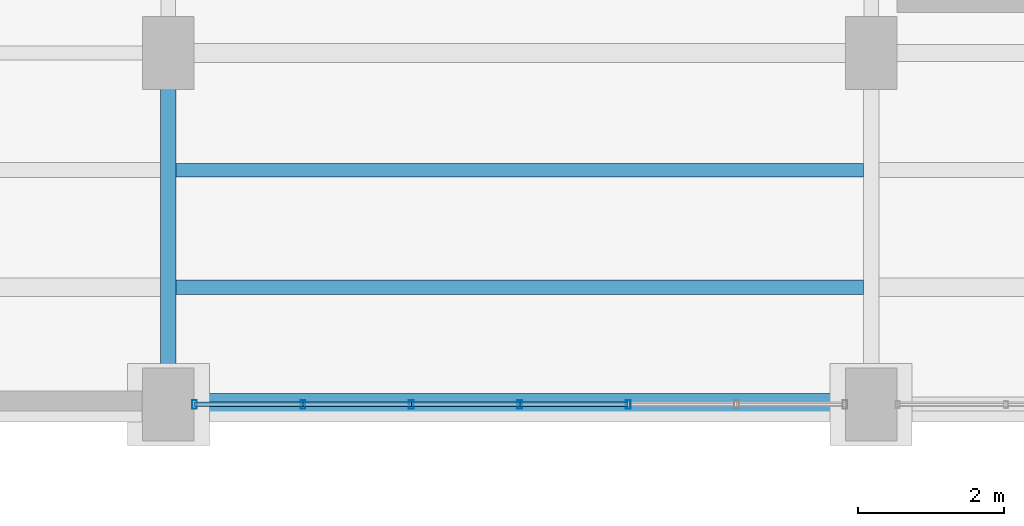
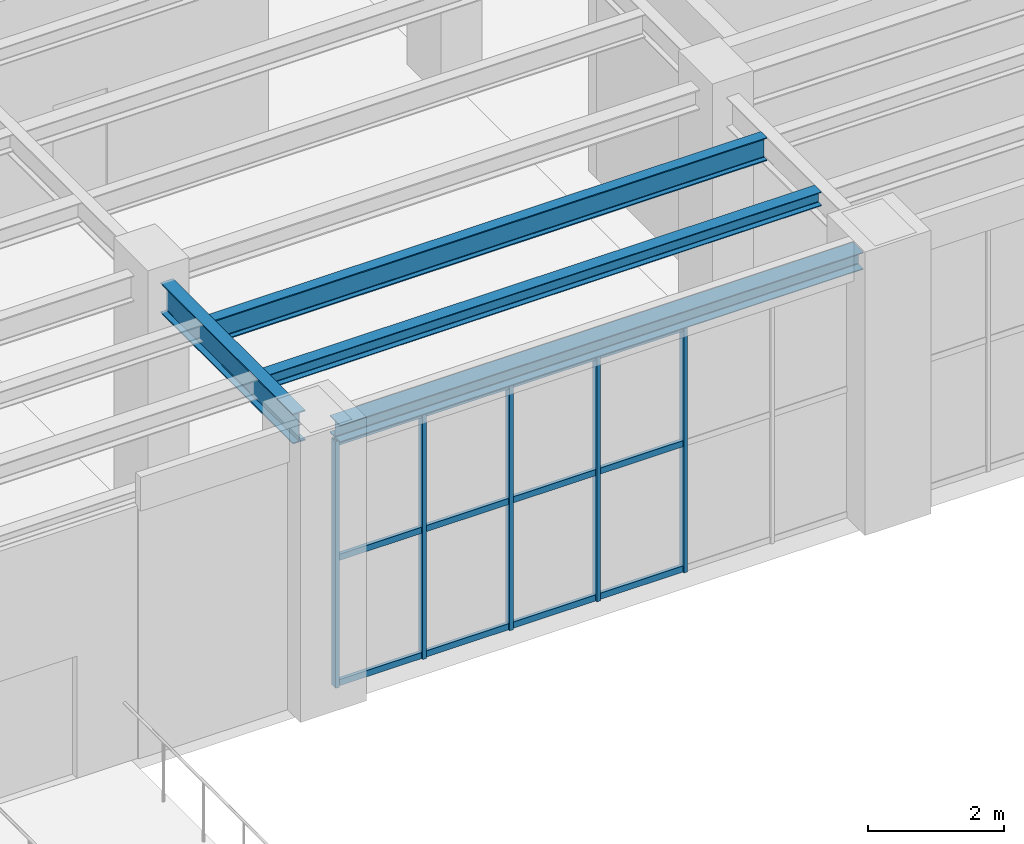
# One storey, part 96 of 174: 17 members, 4 beams, 1 element without a shape of its own.
"""IFC4 building model written with IfcOpenShell, lengths in metres."""

from ifc_helpers import new_model, si_unit, direction, frame, origin, origin_2d, place, context, subcontext, project, spatial, hollow_rectangle, i_section, extrude, material, material_profile, profile_set, type_object, element, aggregate, save


model = new_model("IFC4")

# Units and contexts
model_context = context("Model", 3, precision=1e-05, world=origin(), true_north=direction((0.0, 1.0)))
body_context = subcontext(model_context, "Body", "Model", "MODEL_VIEW")
ifc_project = project(units=[si_unit("LENGTHUNIT", "METRE"), si_unit("AREAUNIT", "SQUARE_METRE"), si_unit("VOLUMEUNIT", "CUBIC_METRE"), si_unit("PLANEANGLEUNIT", "RADIAN"), si_unit("MASSUNIT", "GRAM", prefix="KILO")], contexts=[model_context])

# Site, building, storey
site_placement = place(None, origin())
site = spatial("IfcSite", under=ifc_project, at=site_placement, CompositionType="ELEMENT")
building_placement = place(site_placement, origin())
building = spatial("IfcBuilding", under=site, at=building_placement, Name="Mavantir Sound Aquarium", CompositionType="ELEMENT")
storey_placement = place(building_placement, frame((0.0, 0.0, 5.39990234375)))
storey = spatial("IfcBuildingStorey", under=building, at=storey_placement, Name="L01", CompositionType="ELEMENT", Elevation=5.39990234375)

# Beams
ifc_material_1 = material(Name="Structural Steel ASTM A992 Gr50", Category="steel")
ifc_material_profile_1 = material_profile(ifc_material_1, i_section(OverallWidth=0.202880859375, OverallDepth=0.251953125, WebThickness=0.008056640625, FlangeThickness=0.013427734375, FilletRadius=0.011962890625, at=origin_2d()), Name="W250X58")
ifc_profile_set_1 = profile_set([ifc_material_profile_1], Name="Structural Steel ASTM A992 Gr50")
beam_type_1 = type_object("IfcBeamType", Name="BM-W250X58-I", PredefinedType="JOIST", material=ifc_profile_set_1)
beam_1_placement = place(storey_placement, frame((136.906005859375, 37.60009765625, 4.650146484375), z_axis=(1.0, 0.0, 0.0), x_axis=(0.0, 1.0, 0.0)))
element("IfcBeam", 1, at=beam_1_placement, inside=storey, type_object=beam_type_1, Name="L01 secondary floor joist SJ-25 728", PredefinedType="JOIST", context=body_context, shape_type="SweptSolid", body=[
    extrude(i_section(OverallWidth=0.202880859375, OverallDepth=0.251953125, WebThickness=0.008056640625, FlangeThickness=0.013427734375, FilletRadius=0.011962890625, at=origin_2d()), origin(), (0.0, 0.0, 1.0), 9.387939453125),
])
ifc_material_profile_2 = material_profile(ifc_material_1, i_section(OverallWidth=0.304931640625, OverallDepth=0.30810546875, WebThickness=0.010009765625, FlangeThickness=0.015380859375, FilletRadius=0.014892578125, at=origin_2d()), Name="W310X97")
ifc_profile_set_2 = profile_set([ifc_material_profile_2], Name="Structural Steel ASTM A992 Gr50")
beam_type_2 = type_object("IfcBeamType", Name="BM-W310X97-E", PredefinedType="SPANDREL", material=ifc_profile_set_2)
beam_2_placement = place(storey_placement, frame((137.14990234375, 36.0, 4.6220703125), z_axis=(1.0, 0.0, 0.0), x_axis=(0.0, 1.0, 0.0)))
element("IfcBeam", 2, at=beam_2_placement, inside=storey, type_object=beam_type_2, Name="L01 primary beam SS-31A 1241", PredefinedType="SPANDREL", context=body_context, shape_type="SweptSolid", body=[
    extrude(i_section(OverallWidth=0.304931640625, OverallDepth=0.30810546875, WebThickness=0.010009765625, FlangeThickness=0.015380859375, FilletRadius=0.014892578125, at=origin_2d()), origin(), (0.0, 0.0, 1.0), 8.900146484375),
])
ifc_material_profile_3 = material_profile(ifc_material_1, i_section(OverallWidth=0.180908203125, OverallDepth=0.4169921875, WebThickness=0.010986328125, FlangeThickness=0.018310546875, FilletRadius=0.014892578125, at=origin_2d()), Name="W410X85")
ifc_profile_set_3 = profile_set([ifc_material_profile_3], Name="Structural Steel ASTM A992 Gr50")
beam_type_3 = type_object("IfcBeamType", Name="BM-W410X85-I", PredefinedType="JOIST", material=ifc_profile_set_3)
beam_3_placement = place(storey_placement, frame((136.906005859375, 39.199951171875, 4.567626953125), z_axis=(1.0, 0.0, 0.0), x_axis=(0.0, 1.0, 0.0)))
element("IfcBeam", 3, at=beam_3_placement, inside=storey, type_object=beam_type_3, Name="L01 secondary floor joist SJ-41 729", PredefinedType="JOIST", context=body_context, shape_type="SweptSolid", body=[
    extrude(i_section(OverallWidth=0.180908203125, OverallDepth=0.4169921875, WebThickness=0.010986328125, FlangeThickness=0.018310546875, FilletRadius=0.014892578125, at=origin_2d()), origin(), (0.0, 0.0, 1.0), 9.387939453125),
])
ifc_material_profile_4 = material_profile(ifc_material_1, i_section(OverallWidth=0.2119140625, OverallDepth=0.5439453125, WebThickness=0.01318359375, FlangeThickness=0.021240234375, FilletRadius=0.01806640625, at=origin_2d()), Name="W530X123")
ifc_profile_set_4 = profile_set([ifc_material_profile_4], Name="Structural Steel ASTM A992 Gr50")
beam_type_4 = type_object("IfcBeamType", Name="BM-W530X123-I", PredefinedType="BEAM", material=ifc_profile_set_4)
beam_4_placement = place(storey_placement, frame((136.800048828125, 36.449951171875, 4.504150390625), z_axis=(0.0, 1.0, 0.0), x_axis=(-1.0, 0.0, 0.0)))
element("IfcBeam", 4, at=beam_4_placement, inside=storey, type_object=beam_type_4, Name="L01 primary girder SB-53 1322", PredefinedType="BEAM", context=body_context, shape_type="SweptSolid", body=[
    extrude(i_section(OverallWidth=0.2119140625, OverallDepth=0.5439453125, WebThickness=0.01318359375, FlangeThickness=0.021240234375, FilletRadius=0.01806640625, at=origin_2d()), origin(), (0.0, 0.0, 1.0), 3.900146484375),
])

# Curtain wall, members
ifc_material_2 = material(Name="Anodised Marine Aluminium and Low-E Glass", Category="aluminium")
curtain_wall_type = type_object("IfcCurtainWallType", Name="CW-T04", PredefinedType="USERDEFINED", material=ifc_material_2)
curtain_wall_placement = place(storey_placement, origin())
curtain_wall = element("IfcCurtainWall", 5, at=curtain_wall_placement, inside=storey, type_object=curtain_wall_type, Name="L01 unitised curtain wall CW-04 100", ObjectType="UNITISED GLAZING", PredefinedType="USERDEFINED")
ifc_material_3 = material(Name="Anodised Marine Aluminium 6063-T6", Category="aluminium")
ifc_material_profile_5 = material_profile(ifc_material_3, hollow_rectangle(XDim=0.06494140625, YDim=0.1201171875, WallThickness=0.00390625, at=origin_2d()), Name="ALU-MULLION-120X65")
ifc_profile_set_5 = profile_set([ifc_material_profile_5], Name="Anodised Marine Aluminium 6063-T6")
member_type_1 = type_object("IfcMemberType", Name="CW-MUL-120", PredefinedType="MULLION", material=ifc_profile_set_5)
member_1_placement = place(storey_placement, frame((137.157958984375, 36.0, 0.0), z_axis=(0.0, 0.0, 1.0), x_axis=(1.0, 0.0, 0.0)))
member_1 = element("IfcMember", 6, at=member_1_placement, type_object=member_type_1, Name="CW-L01-100 vertical mullion 1", PredefinedType="MULLION", context=body_context, shape_type="SweptSolid", body=[
    extrude(hollow_rectangle(XDim=0.06494140625, YDim=0.1201171875, WallThickness=0.00390625, at=origin_2d()), origin(), (0.0, 0.0, 1.0), 4.43798828125),
])
member_2_placement = place(storey_placement, frame((138.638671875, 36.0, 0.0), z_axis=(0.0, 0.0, 1.0), x_axis=(1.0, 0.0, 0.0)))
member_2 = element("IfcMember", 7, at=member_2_placement, type_object=member_type_1, Name="CW-L01-100 vertical mullion 2", PredefinedType="MULLION", context=body_context, shape_type="SweptSolid", body=[
    extrude(hollow_rectangle(XDim=0.06494140625, YDim=0.1201171875, WallThickness=0.00390625, at=origin_2d()), origin(), (0.0, 0.0, 1.0), 4.43798828125),
])
member_3_placement = place(storey_placement, frame((140.119384765625, 36.0, 0.0), z_axis=(0.0, 0.0, 1.0), x_axis=(1.0, 0.0, 0.0)))
member_3 = element("IfcMember", 8, at=member_3_placement, type_object=member_type_1, Name="CW-L01-100 vertical mullion 3", PredefinedType="MULLION", context=body_context, shape_type="SweptSolid", body=[
    extrude(hollow_rectangle(XDim=0.06494140625, YDim=0.1201171875, WallThickness=0.00390625, at=origin_2d()), origin(), (0.0, 0.0, 1.0), 4.43798828125),
])
member_4_placement = place(storey_placement, frame((141.60009765625, 36.0, 0.0), z_axis=(0.0, 0.0, 1.0), x_axis=(1.0, 0.0, 0.0)))
member_4 = element("IfcMember", 9, at=member_4_placement, type_object=member_type_1, Name="CW-L01-100 vertical mullion 4", PredefinedType="MULLION", context=body_context, shape_type="SweptSolid", body=[
    extrude(hollow_rectangle(XDim=0.06494140625, YDim=0.1201171875, WallThickness=0.00390625, at=origin_2d()), origin(), (0.0, 0.0, 1.0), 4.43798828125),
])
member_5_placement = place(storey_placement, frame((143.080810546875, 36.0, 0.0), z_axis=(0.0, 0.0, 1.0), x_axis=(1.0, 0.0, 0.0)))
member_5 = element("IfcMember", 10, at=member_5_placement, type_object=member_type_1, Name="CW-L01-100 vertical mullion 5", PredefinedType="MULLION", context=body_context, shape_type="SweptSolid", body=[
    extrude(hollow_rectangle(XDim=0.06494140625, YDim=0.1201171875, WallThickness=0.00390625, at=origin_2d()), origin(), (0.0, 0.0, 1.0), 4.43798828125),
])
ifc_material_profile_6 = material_profile(ifc_material_3, hollow_rectangle(XDim=0.06005859375, YDim=0.110107421875, WallThickness=0.00390625, at=origin_2d()), Name="ALU-TRANSOM-110X60")
ifc_profile_set_6 = profile_set([ifc_material_profile_6], Name="Anodised Marine Aluminium 6063-T6")
member_type_2 = type_object("IfcMemberType", Name="CW-TRN-110", PredefinedType="USERDEFINED", material=ifc_profile_set_6)
member_6_placement = place(storey_placement, frame((137.157958984375, 36.0, 0.05517578125), z_axis=(1.0, 0.0, 0.0), x_axis=(0.0, 1.0, 0.0)))
member_6 = element("IfcMember", 11, at=member_6_placement, type_object=member_type_2, Name="CW-L01-100 transom 1.1", ObjectType="TRANSOM", PredefinedType="USERDEFINED", context=body_context, shape_type="SweptSolid", body=[
    extrude(hollow_rectangle(XDim=0.06005859375, YDim=0.110107421875, WallThickness=0.00390625, at=origin_2d()), origin(), (0.0, 0.0, 1.0), 1.480712890625),
])
member_7_placement = place(storey_placement, frame((137.157958984375, 36.0, 2.307861328125), z_axis=(1.0, 0.0, 0.0), x_axis=(0.0, 1.0, 0.0)))
member_7 = element("IfcMember", 12, at=member_7_placement, type_object=member_type_2, Name="CW-L01-100 transom 1.2", ObjectType="TRANSOM", PredefinedType="USERDEFINED", context=body_context, shape_type="SweptSolid", body=[
    extrude(hollow_rectangle(XDim=0.06005859375, YDim=0.110107421875, WallThickness=0.00390625, at=origin_2d()), origin(), (0.0, 0.0, 1.0), 1.480712890625),
])
member_8_placement = place(storey_placement, frame((137.157958984375, 36.0, 4.383056640625), z_axis=(1.0, 0.0, 0.0), x_axis=(0.0, 1.0, 0.0)))
member_8 = element("IfcMember", 13, at=member_8_placement, type_object=member_type_2, Name="CW-L01-100 transom 1.3", ObjectType="TRANSOM", PredefinedType="USERDEFINED", context=body_context, shape_type="SweptSolid", body=[
    extrude(hollow_rectangle(XDim=0.06005859375, YDim=0.110107421875, WallThickness=0.00390625, at=origin_2d()), origin(), (0.0, 0.0, 1.0), 1.480712890625),
])
member_9_placement = place(storey_placement, frame((138.638671875, 36.0, 0.05517578125), z_axis=(1.0, 0.0, 0.0), x_axis=(0.0, 1.0, 0.0)))
member_9 = element("IfcMember", 14, at=member_9_placement, type_object=member_type_2, Name="CW-L01-100 transom 2.1", ObjectType="TRANSOM", PredefinedType="USERDEFINED", context=body_context, shape_type="SweptSolid", body=[
    extrude(hollow_rectangle(XDim=0.06005859375, YDim=0.110107421875, WallThickness=0.00390625, at=origin_2d()), origin(), (0.0, 0.0, 1.0), 1.480712890625),
])
member_10_placement = place(storey_placement, frame((138.638671875, 36.0, 2.307861328125), z_axis=(1.0, 0.0, 0.0), x_axis=(0.0, 1.0, 0.0)))
member_10 = element("IfcMember", 15, at=member_10_placement, type_object=member_type_2, Name="CW-L01-100 transom 2.2", ObjectType="TRANSOM", PredefinedType="USERDEFINED", context=body_context, shape_type="SweptSolid", body=[
    extrude(hollow_rectangle(XDim=0.06005859375, YDim=0.110107421875, WallThickness=0.00390625, at=origin_2d()), origin(), (0.0, 0.0, 1.0), 1.480712890625),
])
member_11_placement = place(storey_placement, frame((138.638671875, 36.0, 4.383056640625), z_axis=(1.0, 0.0, 0.0), x_axis=(0.0, 1.0, 0.0)))
member_11 = element("IfcMember", 16, at=member_11_placement, type_object=member_type_2, Name="CW-L01-100 transom 2.3", ObjectType="TRANSOM", PredefinedType="USERDEFINED", context=body_context, shape_type="SweptSolid", body=[
    extrude(hollow_rectangle(XDim=0.06005859375, YDim=0.110107421875, WallThickness=0.00390625, at=origin_2d()), origin(), (0.0, 0.0, 1.0), 1.480712890625),
])
member_12_placement = place(storey_placement, frame((140.119384765625, 36.0, 0.05517578125), z_axis=(1.0, 0.0, 0.0), x_axis=(0.0, 1.0, 0.0)))
member_12 = element("IfcMember", 17, at=member_12_placement, type_object=member_type_2, Name="CW-L01-100 transom 3.1", ObjectType="TRANSOM", PredefinedType="USERDEFINED", context=body_context, shape_type="SweptSolid", body=[
    extrude(hollow_rectangle(XDim=0.06005859375, YDim=0.110107421875, WallThickness=0.00390625, at=origin_2d()), origin(), (0.0, 0.0, 1.0), 1.480712890625),
])
member_13_placement = place(storey_placement, frame((140.119384765625, 36.0, 2.307861328125), z_axis=(1.0, 0.0, 0.0), x_axis=(0.0, 1.0, 0.0)))
member_13 = element("IfcMember", 18, at=member_13_placement, type_object=member_type_2, Name="CW-L01-100 transom 3.2", ObjectType="TRANSOM", PredefinedType="USERDEFINED", context=body_context, shape_type="SweptSolid", body=[
    extrude(hollow_rectangle(XDim=0.06005859375, YDim=0.110107421875, WallThickness=0.00390625, at=origin_2d()), origin(), (0.0, 0.0, 1.0), 1.480712890625),
])
member_14_placement = place(storey_placement, frame((140.119384765625, 36.0, 4.383056640625), z_axis=(1.0, 0.0, 0.0), x_axis=(0.0, 1.0, 0.0)))
member_14 = element("IfcMember", 19, at=member_14_placement, type_object=member_type_2, Name="CW-L01-100 transom 3.3", ObjectType="TRANSOM", PredefinedType="USERDEFINED", context=body_context, shape_type="SweptSolid", body=[
    extrude(hollow_rectangle(XDim=0.06005859375, YDim=0.110107421875, WallThickness=0.00390625, at=origin_2d()), origin(), (0.0, 0.0, 1.0), 1.480712890625),
])
member_15_placement = place(storey_placement, frame((141.60009765625, 36.0, 0.05517578125), z_axis=(1.0, 0.0, 0.0), x_axis=(0.0, 1.0, 0.0)))
member_15 = element("IfcMember", 20, at=member_15_placement, type_object=member_type_2, Name="CW-L01-100 transom 4.1", ObjectType="TRANSOM", PredefinedType="USERDEFINED", context=body_context, shape_type="SweptSolid", body=[
    extrude(hollow_rectangle(XDim=0.06005859375, YDim=0.110107421875, WallThickness=0.00390625, at=origin_2d()), origin(), (0.0, 0.0, 1.0), 1.480712890625),
])
member_16_placement = place(storey_placement, frame((141.60009765625, 36.0, 2.307861328125), z_axis=(1.0, 0.0, 0.0), x_axis=(0.0, 1.0, 0.0)))
member_16 = element("IfcMember", 21, at=member_16_placement, type_object=member_type_2, Name="CW-L01-100 transom 4.2", ObjectType="TRANSOM", PredefinedType="USERDEFINED", context=body_context, shape_type="SweptSolid", body=[
    extrude(hollow_rectangle(XDim=0.06005859375, YDim=0.110107421875, WallThickness=0.00390625, at=origin_2d()), origin(), (0.0, 0.0, 1.0), 1.480712890625),
])
member_17_placement = place(storey_placement, frame((141.60009765625, 36.0, 4.383056640625), z_axis=(1.0, 0.0, 0.0), x_axis=(0.0, 1.0, 0.0)))
member_17 = element("IfcMember", 22, at=member_17_placement, type_object=member_type_2, Name="CW-L01-100 transom 4.3", ObjectType="TRANSOM", PredefinedType="USERDEFINED", context=body_context, shape_type="SweptSolid", body=[
    extrude(hollow_rectangle(XDim=0.06005859375, YDim=0.110107421875, WallThickness=0.00390625, at=origin_2d()), origin(), (0.0, 0.0, 1.0), 1.480712890625),
])
aggregate(curtain_wall, [member_1, member_2, member_3, member_4, member_5, member_6, member_7, member_8, member_9, member_10, member_11, member_12, member_13, member_14, member_15, member_16, member_17])

save(model, "model.ifc")
